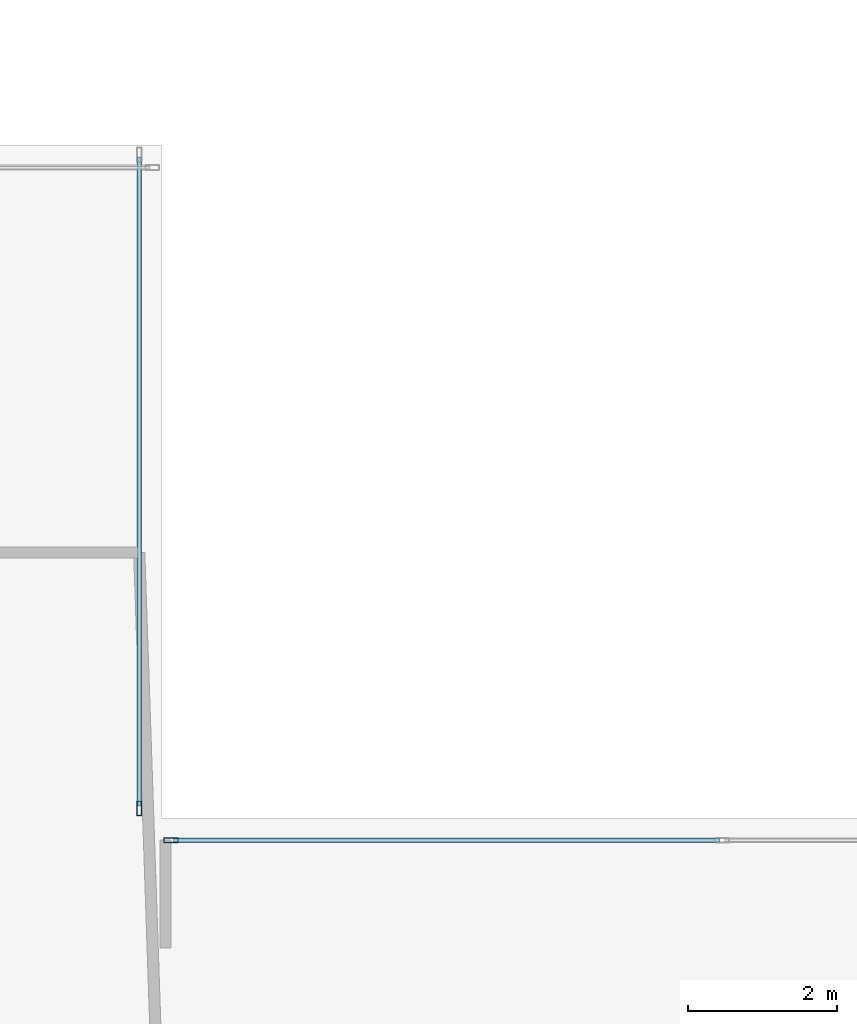
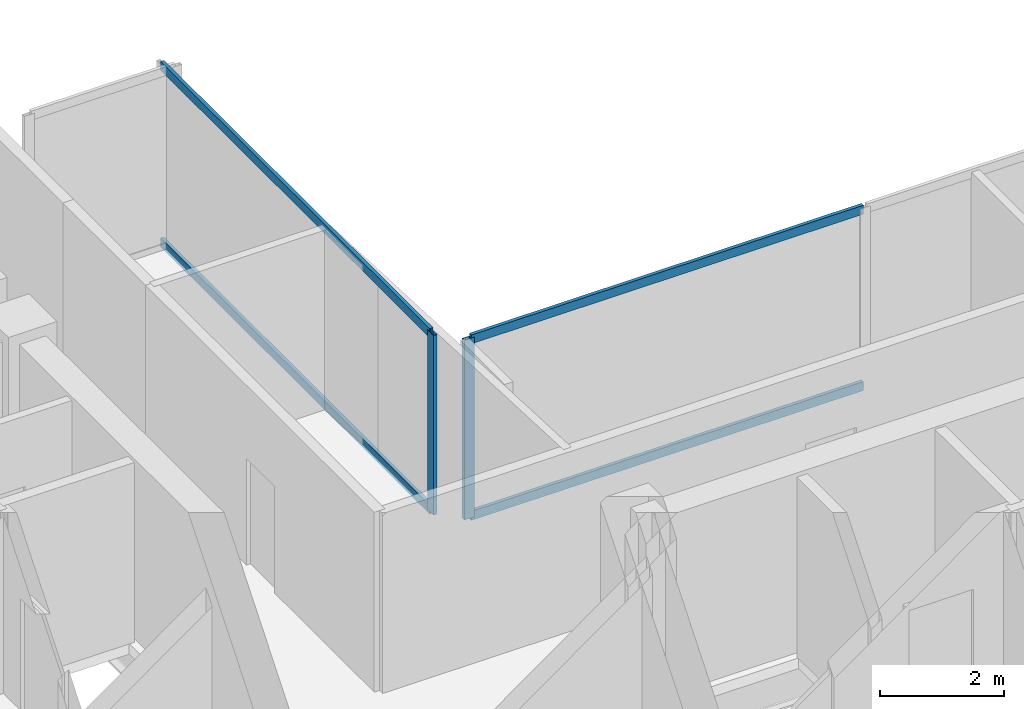
# One storey, part 9 of 21: 6 members, 2 elements without a shape of their own.
"""IFC4 building model written with IfcOpenShell, lengths in metres."""

from ifc_helpers import new_model, si_unit, direction, frame, origin, origin_2d, place, context, subcontext, project, spatial, hollow_rectangle, extrude, material, layer, layer_set, material_profile, profile_set, type_object, element, aggregate, save


model = new_model("IFC4")

# Units and contexts
model_context = context("Model", 3, precision=1e-05, world=origin(), true_north=direction((0.0, 1.0)))
body_context = subcontext(model_context, "Body", "Model", "MODEL_VIEW")
ifc_project = project(units=[si_unit("LENGTHUNIT", "METRE"), si_unit("AREAUNIT", "SQUARE_METRE"), si_unit("VOLUMEUNIT", "CUBIC_METRE"), si_unit("PLANEANGLEUNIT", "RADIAN"), si_unit("MASSUNIT", "GRAM", prefix="KILO"), si_unit("THERMODYNAMICTEMPERATUREUNIT", "KELVIN"), si_unit("POWERUNIT", "WATT")], contexts=[model_context])

# Site, building, storey
site_placement = place(None, origin())
site = spatial("IfcSite", under=ifc_project, at=site_placement, CompositionType="ELEMENT")
building_placement = place(site_placement, origin())
building = spatial("IfcBuilding", under=site, at=building_placement, Name="Svarakhadi Broadcast Tower", CompositionType="ELEMENT")
storey_placement = place(building_placement, frame((0.0, 0.0, 219.89990234375)))
storey = spatial("IfcBuildingStorey", under=building, at=storey_placement, Name="L54", CompositionType="ELEMENT", Elevation=219.89990234375)

# Curtain wall, member
ifc_material = material(Name="Anodised Bronze Aluminium AA 6063-T6", Category="aluminium")
ifc_layer = layer(ifc_material, 0.18994140625)
ifc_layer_set = layer_set([ifc_layer], Name="Anodised Bronze Aluminium AA 6063-T6")
curtain_wall_type = type_object("IfcCurtainWallType", Name="CW_Sys_04", PredefinedType="NOTDEFINED", material=ifc_layer_set)
curtain_wall_1_placement = place(storey_placement, origin())
curtain_wall_1 = element("IfcCurtainWall", 1, at=curtain_wall_1_placement, inside=storey, type_object=curtain_wall_type, Name="L54 Unitised Facade Curtain Wall 09", PredefinedType="NOTDEFINED")
ifc_material_profile_1 = material_profile(ifc_material, hollow_rectangle(XDim=0.070068359375, YDim=0.18994140625, WallThickness=0.005615234375, at=origin_2d()), Name="ALU MULLION 190x70x6")
ifc_profile_set_1 = profile_set([ifc_material_profile_1], Name="Anodised Bronze Aluminium AA 6063-T6")
member_type_1 = type_object("IfcMemberType", Name="CW_Sys_04_Mul", PredefinedType="MULLION", material=ifc_profile_set_1)
member_1_placement = place(storey_placement, frame((23.699951171875, 24.125, 0.0), z_axis=(0.0, 0.0, 1.0), x_axis=(1.0, 0.0, 0.0)))
member_1 = element("IfcMember", 2, at=member_1_placement, type_object=member_type_1, Name="CW-04 mullion 2", PredefinedType="MULLION", context=body_context, shape_type="SweptSolid", body=[
    extrude(hollow_rectangle(XDim=0.070068359375, YDim=0.18994140625, WallThickness=0.005615234375, at=origin_2d()), origin(), (0.0, 0.0, 1.0), 3.5400390625),
])

curtain_wall_2_placement = place(storey_placement, origin())
curtain_wall_2 = element("IfcCurtainWall", 3, at=curtain_wall_2_placement, inside=storey, type_object=curtain_wall_type, Name="L54 Unitised Facade Curtain Wall 10", PredefinedType="NOTDEFINED")
member_2_placement = place(storey_placement, frame((24.125, 23.699951171875, 0.0), z_axis=(0.0, 0.0, 1.0), x_axis=(0.0, 1.0, 0.0)))
member_2 = element("IfcMember", 4, at=member_2_placement, type_object=member_type_1, Name="CW-04 mullion 1", PredefinedType="MULLION", context=body_context, shape_type="SweptSolid", body=[
    extrude(hollow_rectangle(XDim=0.070068359375, YDim=0.18994140625, WallThickness=0.005615234375, at=origin_2d()), origin(), (0.0, 0.0, 1.0), 3.5400390625),
])

# Member
ifc_material_profile_2 = material_profile(ifc_material, hollow_rectangle(XDim=0.06494140625, YDim=0.175048828125, WallThickness=0.0048828125, at=origin_2d()), Name="ALU TRANSOM 175x65x5")
ifc_profile_set_2 = profile_set([ifc_material_profile_2], Name="Anodised Bronze Aluminium AA 6063-T6")
member_type_2 = type_object("IfcMemberType", Name="CW_Sys_04_Trn", PredefinedType="USERDEFINED", material=ifc_profile_set_2)
member_3_placement = place(storey_placement, frame((23.699951171875, 32.840087890625, 0.03271484375), z_axis=(0.0, -1.0, 0.0), x_axis=(1.0, 0.0, 0.0)))
member_3 = element("IfcMember", 5, at=member_3_placement, type_object=member_type_2, Name="CW-04 transom 1.1", ObjectType="TRANSOM", PredefinedType="USERDEFINED", context=body_context, shape_type="SweptSolid", body=[
    extrude(hollow_rectangle(XDim=0.06494140625, YDim=0.175048828125, WallThickness=0.0048828125, at=origin_2d()), origin(), (0.0, 0.0, 1.0), 8.68017578125),
])

member_4_placement = place(storey_placement, frame((23.699951171875, 32.840087890625, 3.507568359375), z_axis=(0.0, -1.0, 0.0), x_axis=(1.0, 0.0, 0.0)))
member_4 = element("IfcMember", 6, at=member_4_placement, type_object=member_type_2, Name="CW-04 transom 1.2", ObjectType="TRANSOM", PredefinedType="USERDEFINED", context=body_context, shape_type="SweptSolid", body=[
    extrude(hollow_rectangle(XDim=0.06494140625, YDim=0.175048828125, WallThickness=0.0048828125, at=origin_2d()), origin(), (0.0, 0.0, 1.0), 8.68017578125),
])

aggregate(curtain_wall_1, [member_1, member_3, member_4])

member_5_placement = place(storey_placement, frame((24.159912109375, 23.699951171875, 0.03271484375), z_axis=(1.0, 0.0, 0.0), x_axis=(0.0, 1.0, 0.0)))
member_5 = element("IfcMember", 7, at=member_5_placement, type_object=member_type_2, Name="CW-04 transom 1.1", ObjectType="TRANSOM", PredefinedType="USERDEFINED", context=body_context, shape_type="SweptSolid", body=[
    extrude(hollow_rectangle(XDim=0.06494140625, YDim=0.175048828125, WallThickness=0.0048828125, at=origin_2d()), origin(), (0.0, 0.0, 1.0), 7.30517578125),
])

member_6_placement = place(storey_placement, frame((24.159912109375, 23.699951171875, 3.507568359375), z_axis=(1.0, 0.0, 0.0), x_axis=(0.0, 1.0, 0.0)))
member_6 = element("IfcMember", 8, at=member_6_placement, type_object=member_type_2, Name="CW-04 transom 1.2", ObjectType="TRANSOM", PredefinedType="USERDEFINED", context=body_context, shape_type="SweptSolid", body=[
    extrude(hollow_rectangle(XDim=0.06494140625, YDim=0.175048828125, WallThickness=0.0048828125, at=origin_2d()), origin(), (0.0, 0.0, 1.0), 7.30517578125),
])

aggregate(curtain_wall_2, [member_2, member_5, member_6])

save(model, "model.ifc")
